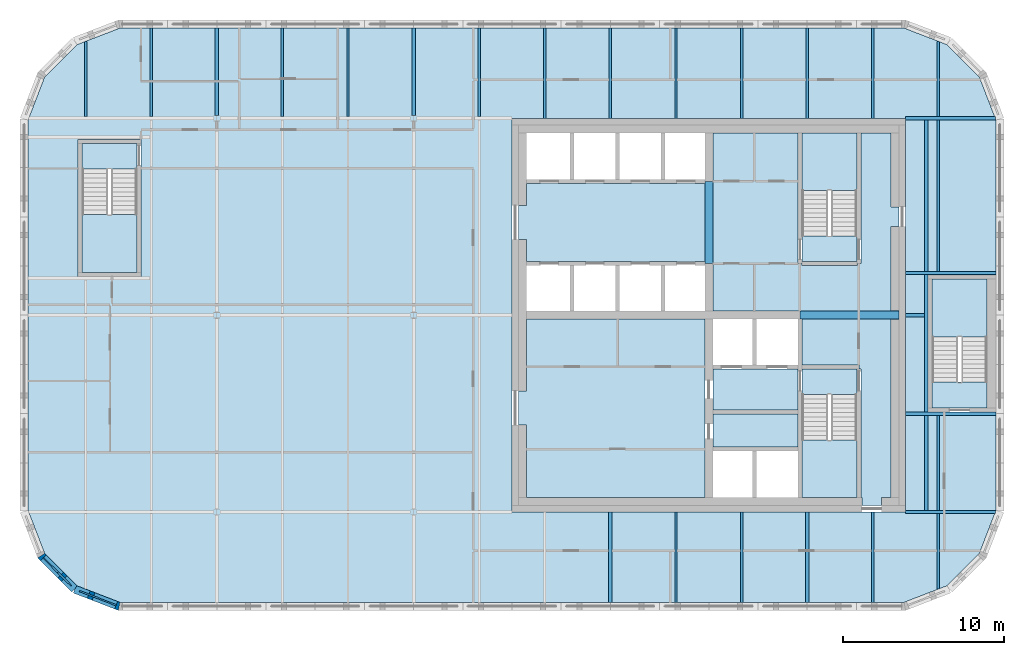
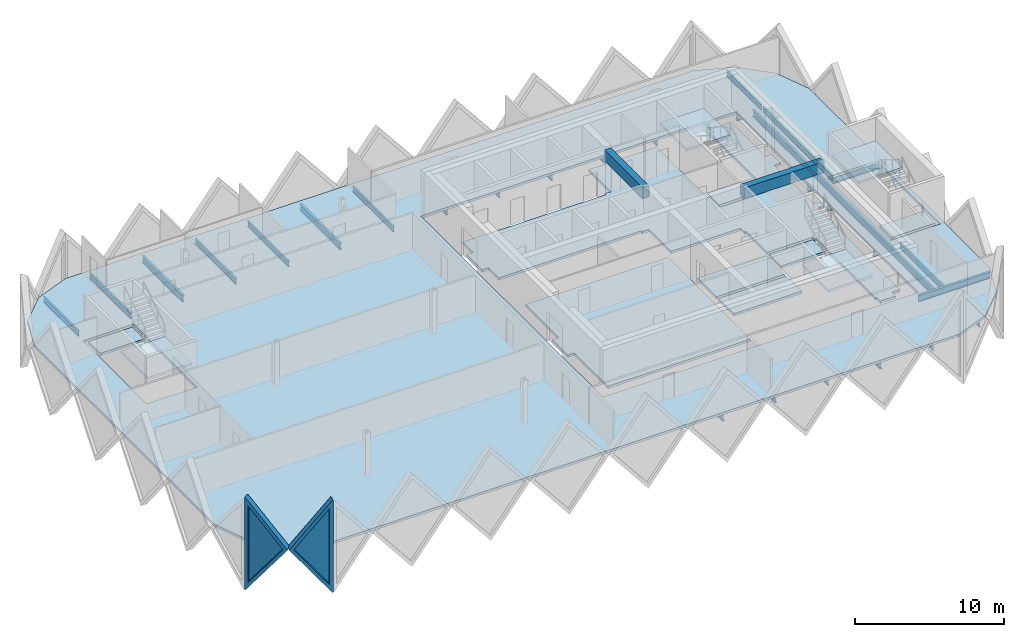
# One storey, part 2 of 10: 30 beams, 13 slabs, 2 plates, 2 walls, 2 openings, 4 elements without a shape of their own.
"""IFC4 building model written with IfcOpenShell, lengths in metres."""

from ifc_helpers import new_model, si_unit, direction, frame, origin, origin_2d, place, context, subcontext, project, spatial, polyline, rectangle, i_section, outline, extrude, faceted_brep, source, transform, mapped, material, layer, layer_set, material_profile, profile_set, type_object, element, fill, aggregate, save


model = new_model("IFC4")

# Units and contexts
model_context = context("Model", 3, precision=1e-05, world=origin(), true_north=direction((0.0, 1.0)))
body_context = subcontext(model_context, "Body", "Model", "MODEL_VIEW")
ifc_project = project(units=[si_unit("LENGTHUNIT", "METRE"), si_unit("AREAUNIT", "SQUARE_METRE"), si_unit("VOLUMEUNIT", "CUBIC_METRE"), si_unit("PLANEANGLEUNIT", "RADIAN"), si_unit("MASSUNIT", "GRAM", prefix="KILO")], contexts=[model_context])

# Site, building, storey
site_placement = place(None, origin())
site = spatial("IfcSite", under=ifc_project, at=site_placement, CompositionType="ELEMENT")
building_placement = place(site_placement, origin())
building = spatial("IfcBuilding", under=site, at=building_placement, Name="Tessera Gate Towers", CompositionType="ELEMENT")
storey_placement = place(building_placement, frame((0.0, 0.0, 252.10009765625)))
storey = spatial("IfcBuildingStorey", under=building, at=storey_placement, Name="L63", CompositionType="ELEMENT", Elevation=252.10009765625)

# Beams
ifc_material_1 = material(Name="Concrete C40/50", Category="concrete")
ifc_material_profile_1 = material_profile(ifc_material_1, rectangle(XDim=0.5, YDim=0.89990234375, at=origin_2d()), Name="RC 500x900")
ifc_profile_set_1 = profile_set([ifc_material_profile_1], Name="Concrete C40/50")
beam_type_1 = type_object("IfcBeamType", Name="COUPLING BEAM 500x900 C40/50", PredefinedType="BEAM", material=ifc_profile_set_1)
beam_1_placement = place(storey_placement, frame((48.35009765625, 36.60009765625, 3.14990234375), z_axis=(1.0, 0.0, 0.0), x_axis=(0.0, 1.0, 0.0)))
element("IfcBeam", 1, at=beam_1_placement, inside=storey, type_object=beam_type_1, Name="L63 coupling beam 1", PredefinedType="BEAM", context=body_context, shape_type="SweptSolid", body=[
    extrude(rectangle(XDim=0.5, YDim=0.89990234375, at=origin_2d()), origin(), (0.0, 0.0, 1.0), 6.14990234375),
])
beam_2_placement = place(storey_placement, frame((42.699951171875, 39.800048828125, 3.14990234375), z_axis=(0.0, 1.0, 0.0), x_axis=(-1.0, 0.0, 0.0)))
element("IfcBeam", 2, at=beam_2_placement, inside=storey, type_object=beam_type_1, Name="L63 coupling beam 2", PredefinedType="BEAM", context=body_context, shape_type="SweptSolid", body=[
    extrude(rectangle(XDim=0.5, YDim=0.89990234375, at=origin_2d()), origin(), (0.0, 0.0, 1.0), 5.099853515625),
])
ifc_material_2 = material(Name="Steel 350W", Category="steel")
ifc_material_profile_2 = material_profile(ifc_material_2, i_section(OverallWidth=0.208984375, OverallDepth=0.532958984375, WebThickness=0.01025390625, FlangeThickness=0.015625, at=origin_2d()), Name="W530x92")
ifc_profile_set_2 = profile_set([ifc_material_profile_2], Name="Steel 350W")
beam_type_2 = type_object("IfcBeamType", Name="FLOOR GIRDER W530x92", PredefinedType="BEAM", material=ifc_profile_set_2)
beam_3_placement = place(storey_placement, frame((54.90087890625, 24.39990234375, -0.466552734375), z_axis=(1.0, 0.0, 0.0), x_axis=(0.0, 1.0, 0.0)))
element("IfcBeam", 3, at=beam_3_placement, inside=storey, type_object=beam_type_2, Name="T1-GD-L63-6189", PredefinedType="BEAM", context=body_context, shape_type="SweptSolid", body=[
    extrude(i_section(OverallWidth=0.208984375, OverallDepth=0.532958984375, WebThickness=0.01025390625, FlangeThickness=0.015625, at=origin_2d()), origin(), (0.0, 0.0, 1.0), 5.564208984375),
])
beam_4_placement = place(storey_placement, frame((54.89892578125, 36.60009765625, -0.466552734375), z_axis=(1.0, 0.0, 0.0), x_axis=(0.0, 1.0, 0.0)))
element("IfcBeam", 4, at=beam_4_placement, inside=storey, type_object=beam_type_2, Name="T1-GD-L63-6193", PredefinedType="BEAM", context=body_context, shape_type="SweptSolid", body=[
    extrude(i_section(OverallWidth=0.208984375, OverallDepth=0.532958984375, WebThickness=0.01025390625, FlangeThickness=0.015625, at=origin_2d()), origin(), (0.0, 0.0, 1.0), 1.176513671875),
])
beam_5_placement = place(storey_placement, frame((54.90087890625, 48.800048828125, -0.466552734375), z_axis=(1.0, 0.0, 0.0), x_axis=(0.0, 1.0, 0.0)))
element("IfcBeam", 5, at=beam_5_placement, inside=storey, type_object=beam_type_2, Name="T1-GD-L63-6197", PredefinedType="BEAM", context=body_context, shape_type="SweptSolid", body=[
    extrude(i_section(OverallWidth=0.208984375, OverallDepth=0.532958984375, WebThickness=0.01025390625, FlangeThickness=0.015625, at=origin_2d()), origin(), (0.0, 0.0, 1.0), 5.564208984375),
])
for number, where, z_axis, x_axis, name in (
    (6, (12.199951171875, 48.984619140625, -0.466552734375), (0.0, 1.0, 0.0), (-1.0, 0.0, 0.0), "T1-GD-L63-6201"),
    (7, (24.39990234375, 48.984619140625, -0.466552734375), (0.0, 1.0, 0.0), (-1.0, 0.0, 0.0), "T1-GD-L63-6205"),
):
    element("IfcBeam", number, at=place(storey_placement, frame(where, z_axis=z_axis, x_axis=x_axis)), inside=storey, type_object=beam_type_2, Name=name, PredefinedType="BEAM", context=body_context, shape_type="SweptSolid", body=[
        extrude(i_section(OverallWidth=0.208984375, OverallDepth=0.532958984375, WebThickness=0.01025390625, FlangeThickness=0.015625, at=origin_2d()), origin(), (0.0, 0.0, 1.0), 5.416259765625),
    ])
for number, where, z_axis, x_axis, name in (
    (8, (36.60009765625, 18.799072265625, -0.466552734375), (0.0, 1.0, 0.0), (-1.0, 0.0, 0.0), "T1-GD-L63-6206"),
    (9, (48.800048828125, 18.799072265625, -0.466552734375), (0.0, 1.0, 0.0), (-1.0, 0.0, 0.0), "T1-GD-L63-6207"),
):
    element("IfcBeam", number, at=place(storey_placement, frame(where, z_axis=z_axis, x_axis=x_axis)), inside=storey, type_object=beam_type_2, Name=name, PredefinedType="BEAM", context=body_context, shape_type="SweptSolid", body=[
        extrude(i_section(OverallWidth=0.208984375, OverallDepth=0.532958984375, WebThickness=0.01025390625, FlangeThickness=0.015625, at=origin_2d()), origin(), (0.0, 0.0, 1.0), 5.600830078125),
    ])
for number, where, z_axis, x_axis, name in (
    (10, (54.89892578125, 30.47998046875, -0.466552734375), (1.0, 0.0, 0.0), (0.0, 1.0, 0.0), "T1-GD-L63-6210"),
    (11, (54.89892578125, 39.219970703125, -0.466552734375), (1.0, 0.0, 0.0), (0.0, 1.0, 0.0), "T1-GD-L63-6211"),
):
    element("IfcBeam", number, at=place(storey_placement, frame(where, z_axis=z_axis, x_axis=x_axis)), inside=storey, type_object=beam_type_2, Name=name, PredefinedType="BEAM", context=body_context, shape_type="SweptSolid", body=[
        extrude(i_section(OverallWidth=0.208984375, OverallDepth=0.532958984375, WebThickness=0.01025390625, FlangeThickness=0.015625, at=origin_2d()), origin(), (0.0, 0.0, 1.0), 5.60205078125),
    ])
beam_6_placement = place(storey_placement, frame((56.179931640625, 24.50439453125, -0.466552734375), z_axis=(0.0, 1.0, 0.0), x_axis=(-1.0, 0.0, 0.0)))
element("IfcBeam", 12, at=beam_6_placement, inside=storey, type_object=beam_type_2, Name="T1-GD-L63-6212", PredefinedType="BEAM", context=body_context, shape_type="SweptSolid", body=[
    extrude(i_section(OverallWidth=0.208984375, OverallDepth=0.532958984375, WebThickness=0.01025390625, FlangeThickness=0.015625, at=origin_2d()), origin(), (0.0, 0.0, 1.0), 24.191162109375),
])
ifc_material_3 = material(Name="Steel 350W", Category="steel")
ifc_material_profile_3 = material_profile(ifc_material_3, i_section(OverallWidth=0.153076171875, OverallDepth=0.455078125, WebThickness=0.008056640625, FlangeThickness=0.01318359375, at=origin_2d()), Name="W460x60")
ifc_profile_set_3 = profile_set([ifc_material_profile_3], Name="Steel 350W")
beam_type_3 = type_object("IfcBeamType", Name="FLOOR SECONDARY W460x60", PredefinedType="BEAM", material=ifc_profile_set_3)
beam_7_placement = place(storey_placement, frame((4.066650390625, 48.904541015625, -0.427490234375), z_axis=(0.0, 1.0, 0.0), x_axis=(-1.0, 0.0, 0.0)))
element("IfcBeam", 13, at=beam_7_placement, inside=storey, type_object=beam_type_3, Name="T1-BM-L63-6216", PredefinedType="BEAM", context=body_context, shape_type="SweptSolid", body=[
    extrude(i_section(OverallWidth=0.153076171875, OverallDepth=0.455078125, WebThickness=0.008056640625, FlangeThickness=0.01318359375, at=origin_2d()), origin(), (0.0, 0.0, 1.0), 4.675048828125),
])
for number, where, z_axis, x_axis, name in (
    (14, (8.13330078125, 48.904541015625, -0.427490234375), (0.0, 1.0, 0.0), (-1.0, 0.0, 0.0), "T1-BM-L63-6220"),
    (15, (16.2666015625, 48.904541015625, -0.427490234375), (0.0, 1.0, 0.0), (-1.0, 0.0, 0.0), "T1-BM-L63-6224"),
    (16, (20.333251953125, 48.904541015625, -0.427490234375), (0.0, 1.0, 0.0), (-1.0, 0.0, 0.0), "T1-BM-L63-6228"),
    (17, (28.466796875, 48.904541015625, -0.427490234375), (0.0, 1.0, 0.0), (-1.0, 0.0, 0.0), "T1-BM-L63-6232"),
):
    element("IfcBeam", number, at=place(storey_placement, frame(where, z_axis=z_axis, x_axis=x_axis)), inside=storey, type_object=beam_type_3, Name=name, PredefinedType="BEAM", context=body_context, shape_type="SweptSolid", body=[
        extrude(i_section(OverallWidth=0.153076171875, OverallDepth=0.455078125, WebThickness=0.008056640625, FlangeThickness=0.01318359375, at=origin_2d()), origin(), (0.0, 0.0, 1.0), 5.495361328125),
    ])
for number, where, z_axis, x_axis, name in (
    (18, (32.533203125, 48.800048828125, -0.427490234375), (0.0, 1.0, 0.0), (-1.0, 0.0, 0.0), "T1-BM-L63-6234"),
    (19, (36.60009765625, 48.800048828125, -0.427490234375), (0.0, 1.0, 0.0), (-1.0, 0.0, 0.0), "T1-BM-L63-6235"),
    (20, (40.666748046875, 18.800048828125, -0.427490234375), (0.0, 1.0, 0.0), (-1.0, 0.0, 0.0), "T1-BM-L63-6236"),
    (21, (40.666748046875, 48.800048828125, -0.427490234375), (0.0, 1.0, 0.0), (-1.0, 0.0, 0.0), "T1-BM-L63-6237"),
    (22, (44.7333984375, 18.800048828125, -0.427490234375), (0.0, 1.0, 0.0), (-1.0, 0.0, 0.0), "T1-BM-L63-6238"),
    (23, (44.7333984375, 48.800048828125, -0.427490234375), (0.0, 1.0, 0.0), (-1.0, 0.0, 0.0), "T1-BM-L63-6239"),
    (24, (48.800048828125, 48.800048828125, -0.427490234375), (0.0, 1.0, 0.0), (-1.0, 0.0, 0.0), "T1-BM-L63-6240"),
    (25, (52.86669921875, 18.800048828125, -0.427490234375), (0.0, 1.0, 0.0), (-1.0, 0.0, 0.0), "T1-BM-L63-6241"),
    (26, (52.86669921875, 48.800048828125, -0.427490234375), (0.0, 1.0, 0.0), (-1.0, 0.0, 0.0), "T1-BM-L63-6242"),
):
    element("IfcBeam", number, at=place(storey_placement, frame(where, z_axis=z_axis, x_axis=x_axis)), inside=storey, type_object=beam_type_3, Name=name, PredefinedType="BEAM", context=body_context, shape_type="SweptSolid", body=[
        extrude(i_section(OverallWidth=0.153076171875, OverallDepth=0.455078125, WebThickness=0.008056640625, FlangeThickness=0.01318359375, at=origin_2d()), origin(), (0.0, 0.0, 1.0), 5.599853515625),
    ])
beam_8_placement = place(storey_placement, frame((56.933349609375, 19.620361328125, -0.427490234375), z_axis=(0.0, 1.0, 0.0), x_axis=(-1.0, 0.0, 0.0)))
element("IfcBeam", 27, at=beam_8_placement, inside=storey, type_object=beam_type_3, Name="T1-BM-L63-6243", PredefinedType="BEAM", context=body_context, shape_type="SweptSolid", body=[
    extrude(i_section(OverallWidth=0.153076171875, OverallDepth=0.455078125, WebThickness=0.008056640625, FlangeThickness=0.01318359375, at=origin_2d()), origin(), (0.0, 0.0, 1.0), 4.675048828125),
])
beam_9_placement = place(storey_placement, frame((56.933349609375, 24.50439453125, -0.427490234375), z_axis=(0.0, 1.0, 0.0), x_axis=(-1.0, 0.0, 0.0)))
element("IfcBeam", 28, at=beam_9_placement, inside=storey, type_object=beam_type_3, Name="T1-BM-L63-6244", PredefinedType="BEAM", context=body_context, shape_type="SweptSolid", body=[
    extrude(i_section(OverallWidth=0.153076171875, OverallDepth=0.455078125, WebThickness=0.008056640625, FlangeThickness=0.01318359375, at=origin_2d()), origin(), (0.0, 0.0, 1.0), 5.87109375),
])
beam_10_placement = place(storey_placement, frame((56.933349609375, 39.324462890625, -0.427490234375), z_axis=(0.0, 1.0, 0.0), x_axis=(-1.0, 0.0, 0.0)))
element("IfcBeam", 29, at=beam_10_placement, inside=storey, type_object=beam_type_3, Name="T1-BM-L63-6245", PredefinedType="BEAM", context=body_context, shape_type="SweptSolid", body=[
    extrude(i_section(OverallWidth=0.153076171875, OverallDepth=0.455078125, WebThickness=0.008056640625, FlangeThickness=0.01318359375, at=origin_2d()), origin(), (0.0, 0.0, 1.0), 9.37109375),
])
beam_11_placement = place(storey_placement, frame((56.933349609375, 48.904541015625, -0.427490234375), z_axis=(0.0, 1.0, 0.0), x_axis=(-1.0, 0.0, 0.0)))
element("IfcBeam", 30, at=beam_11_placement, inside=storey, type_object=beam_type_3, Name="T1-BM-L63-6246", PredefinedType="BEAM", context=body_context, shape_type="SweptSolid", body=[
    extrude(i_section(OverallWidth=0.153076171875, OverallDepth=0.455078125, WebThickness=0.008056640625, FlangeThickness=0.01318359375, at=origin_2d()), origin(), (0.0, 0.0, 1.0), 4.675048828125),
])

# Slabs
ifc_material_4 = material(Name="Concrete C35/45", Category="concrete")
ifc_layer_1 = layer(ifc_material_4, 0.199951171875)
ifc_layer_set_1 = layer_set([ifc_layer_1], Name="COMPOSITE FLOOR 200")
slab_type_1 = type_object("IfcSlabType", Name="COMPOSITE FLOOR 200", PredefinedType="FLOOR", material=ifc_layer_set_1)
slab_1_placement = place(storey_placement, frame((0.0, 0.0, -0.2001953125)))
element("IfcSlab", 31, at=slab_1_placement, inside=storey, type_object=slab_type_1, Name="T1-L63", PredefinedType="FLOOR", context=body_context, shape_type="SweptSolid", body=[
    extrude(outline(polyline([(0.5, 24.4931640625), (1.526123046875, 21.8330078125), (3.533203125, 19.826171875), (6.193115234375, 18.800048828125), (54.806884765625, 18.800048828125), (57.466796875, 19.826171875), (59.473876953125, 21.8330078125), (60.5, 24.4931640625), (60.5, 48.706787109375), (59.473876953125, 51.366943359375), (57.466796875, 53.373779296875), (54.806884765625, 54.39990234375), (6.193115234375, 54.39990234375), (3.533203125, 53.373779296875), (1.526123046875, 51.366943359375), (0.5, 48.706787109375), (0.5, 24.4931640625)]), holes=[polyline([(3.60009765625, 39.0), (3.60009765625, 47.5), (7.5, 47.5), (7.5, 39.0), (3.60009765625, 39.0)]), polyline([(30.5, 24.39990234375), (30.5, 48.800048828125), (54.89990234375, 48.800048828125), (54.89990234375, 24.39990234375), (30.5, 24.39990234375)]), polyline([(56.300048828125, 30.60009765625), (56.300048828125, 39.10009765625), (60.199951171875, 39.10009765625), (60.199951171875, 30.60009765625), (56.300048828125, 30.60009765625)])]), origin(), (0.0, 0.0, 1.0), 0.2001953125),
])
ifc_material_5 = material(Name="Concrete C35/45", Category="concrete")
ifc_layer_2 = layer(ifc_material_5, 0.199951171875)
ifc_layer_set_2 = layer_set([ifc_layer_2], Name="CORE FLOOR SLAB 200")
slab_type_2 = type_object("IfcSlabType", Name="CORE FLOOR SLAB 200", PredefinedType="FLOOR", material=ifc_layer_set_2)
slab_2_placement = place(storey_placement, frame((0.0, 0.0, -0.2001953125)))
element("IfcSlab", 32, at=slab_2_placement, inside=storey, type_object=slab_type_2, Name="L63 core floor slab", PredefinedType="FLOOR", context=body_context, shape_type="SweptSolid", body=[
    extrude(outline(polyline([(42.449951171875, 44.89990234375), (42.449951171875, 44.77490234375), (31.39990234375, 44.77490234375), (31.39990234375, 43.39990234375), (30.89990234375, 43.39990234375), (30.89990234375, 41.300048828125), (31.39990234375, 41.300048828125), (31.39990234375, 39.925048828125), (42.449951171875, 39.925048828125), (42.449951171875, 39.800048828125), (42.949951171875, 39.800048828125), (42.949951171875, 36.85009765625), (48.35009765625, 36.85009765625), (48.35009765625, 36.35009765625), (48.47509765625, 36.35009765625), (48.47509765625, 33.52490234375), (52.0, 33.52490234375), (52.0, 33.27490234375), (52.125, 33.27490234375), (52.125, 25.300048828125), (52.199951171875, 25.300048828125), (52.199951171875, 24.800048828125), (53.39990234375, 24.800048828125), (53.39990234375, 25.300048828125), (54.0, 25.300048828125), (54.0, 36.320068359375), (54.5, 36.320068359375), (54.5, 36.8798828125), (54.0, 36.8798828125), (54.0, 42.10009765625), (54.5, 42.10009765625), (54.5, 43.300048828125), (54.0, 43.300048828125), (54.0, 47.89990234375), (52.125, 47.89990234375), (52.125, 39.800048828125), (51.875, 39.800048828125), (51.875, 39.675048828125), (48.47509765625, 39.675048828125), (48.47509765625, 39.800048828125), (48.22509765625, 39.800048828125), (48.22509765625, 47.89990234375), (42.949951171875, 47.89990234375), (42.949951171875, 44.89990234375), (42.449951171875, 44.89990234375)])), origin(), (0.0, 0.0, 1.0), 0.2001953125),
])
slab_3_placement = place(storey_placement, frame((0.0, 0.0, -0.2001953125)))
element("IfcSlab", 33, at=slab_3_placement, inside=storey, type_object=slab_type_2, Name="L63 core floor slab", PredefinedType="FLOOR", context=body_context, shape_type="SweptSolid", body=[
    extrude(outline(polyline([(31.39990234375, 36.35009765625), (31.39990234375, 31.89990234375), (30.89990234375, 31.89990234375), (30.89990234375, 29.800048828125), (31.39990234375, 29.800048828125), (31.39990234375, 25.300048828125), (42.449951171875, 25.300048828125), (42.449951171875, 36.35009765625), (31.39990234375, 36.35009765625)])), origin(), (0.0, 0.0, 1.0), 0.2001953125),
])
slab_4_placement = place(storey_placement, frame((0.0, 0.0, -0.2001953125)))
element("IfcSlab", 34, at=slab_4_placement, inside=storey, type_object=slab_type_2, Name="L63 core floor slab", PredefinedType="FLOOR", context=body_context, shape_type="SweptSolid", body=[
    extrude(outline(polyline([(42.949951171875, 33.27490234375), (42.949951171875, 30.72509765625), (48.22509765625, 30.72509765625), (48.22509765625, 33.27490234375), (42.949951171875, 33.27490234375)])), origin(), (0.0, 0.0, 1.0), 0.2001953125),
])
slab_5_placement = place(storey_placement, frame((0.0, 0.0, -0.2001953125)))
element("IfcSlab", 35, at=slab_5_placement, inside=storey, type_object=slab_type_2, Name="L63 core floor slab", PredefinedType="FLOOR", context=body_context, shape_type="SweptSolid", body=[
    extrude(outline(polyline([(48.22509765625, 30.47509765625), (42.949951171875, 30.47509765625), (42.949951171875, 28.425048828125), (48.22509765625, 28.425048828125), (48.22509765625, 30.47509765625)])), origin(), (0.0, 0.0, 1.0), 0.2001953125),
])
slab_6_placement = place(storey_placement, frame((0.0, 0.0, -0.2001953125)))
element("IfcSlab", 36, at=slab_6_placement, inside=storey, type_object=slab_type_2, Name="L63 core floor slab", PredefinedType="FLOOR", context=body_context, shape_type="SweptSolid", body=[
    extrude(outline(polyline([(51.875, 31.675048828125), (51.875, 33.27490234375), (48.47509765625, 33.27490234375), (48.47509765625, 31.675048828125), (51.875, 31.675048828125)])), origin(), (0.0, 0.0, 1.0), 0.2001953125),
])
slab_7_placement = place(storey_placement, frame((0.0, 0.0, -0.2001953125)))
element("IfcSlab", 37, at=slab_7_placement, inside=storey, type_object=slab_type_2, Name="L63 core floor slab", PredefinedType="FLOOR", context=body_context, shape_type="SweptSolid", body=[
    extrude(outline(polyline([(48.47509765625, 41.52490234375), (48.47509765625, 39.925048828125), (51.875, 39.925048828125), (51.875, 41.52490234375), (48.47509765625, 41.52490234375)])), origin(), (0.0, 0.0, 1.0), 0.2001953125),
])
slab_8_placement = place(storey_placement, frame((0.0, 0.0, -0.2001953125)))
element("IfcSlab", 38, at=slab_8_placement, inside=storey, type_object=slab_type_2, Name="L63 ST3 floor landing", PredefinedType="FLOOR", context=body_context, shape_type="SweptSolid", body=[
    extrude(outline(polyline([(3.85009765625, 47.25), (3.85009765625, 45.64990234375), (7.25, 45.64990234375), (7.25, 47.25), (3.85009765625, 47.25)])), origin(), (0.0, 0.0, 1.0), 0.2001953125),
])
slab_9_placement = place(storey_placement, frame((0.0, 0.0, -0.2001953125)))
element("IfcSlab", 39, at=slab_9_placement, inside=storey, type_object=slab_type_2, Name="L63 ST5 floor landing", PredefinedType="FLOOR", context=body_context, shape_type="SweptSolid", body=[
    extrude(outline(polyline([(59.949951171875, 30.85009765625), (59.949951171875, 32.449951171875), (56.550048828125, 32.449951171875), (56.550048828125, 30.85009765625), (59.949951171875, 30.85009765625)])), origin(), (0.0, 0.0, 1.0), 0.2001953125),
])

# Stair, slab
ifc_material_6 = material(Name="Concrete C40/50", Category="concrete")
stair_type_1 = type_object("IfcStairType", Name="EXIT STAIR ST1 1600", PredefinedType="HALF_TURN_STAIR", material=ifc_material_6)
stair_1_placement = place(storey_placement, origin())
stair_1 = element("IfcStair", 40, at=stair_1_placement, inside=storey, type_object=stair_type_1, Name="L63 Protected Exit Stair ST1", PredefinedType="HALF_TURN_STAIR")
ifc_material_7 = material(Name="Concrete C40/50", Category="concrete")
ifc_layer_3 = layer(ifc_material_7, 0.199951171875)
ifc_layer_set_3 = layer_set([ifc_layer_3], Name="EXIT STAIR LANDING 200")
slab_type_3 = type_object("IfcSlabType", Name="EXIT STAIR LANDING 200", PredefinedType="LANDING", material=ifc_layer_set_3)
slab_10_placement = place(storey_placement, frame((0.0, 0.0, 1.699951171875)))
slab_10 = element("IfcSlab", 41, at=slab_10_placement, type_object=slab_type_3, Name="ST1 landing 1", PredefinedType="LANDING", context=body_context, shape_type="SweptSolid", body=[
    extrude(outline(polyline([(48.47509765625, 28.875), (48.47509765625, 25.300048828125), (51.875, 25.300048828125), (51.875, 28.875), (48.47509765625, 28.875)])), origin(), (0.0, 0.0, 1.0), 0.199951171875),
])
aggregate(stair_1, [slab_10])

ifc_material_8 = material(Name="Concrete C40/50", Category="concrete")
stair_type_2 = type_object("IfcStairType", Name="EXIT STAIR ST2 1600", PredefinedType="HALF_TURN_STAIR", material=ifc_material_8)
stair_2_placement = place(storey_placement, origin())
stair_2 = element("IfcStair", 42, at=stair_2_placement, inside=storey, type_object=stair_type_2, Name="L63 Protected Exit Stair ST2", PredefinedType="HALF_TURN_STAIR")
slab_11_placement = place(storey_placement, frame((0.0, 0.0, 1.699951171875)))
slab_11 = element("IfcSlab", 43, at=slab_11_placement, type_object=slab_type_3, Name="ST2 landing 1", PredefinedType="LANDING", context=body_context, shape_type="SweptSolid", body=[
    extrude(outline(polyline([(51.875, 44.324951171875), (51.875, 47.89990234375), (48.47509765625, 47.89990234375), (48.47509765625, 44.324951171875), (51.875, 44.324951171875)])), origin(), (0.0, 0.0, 1.0), 0.199951171875),
])
aggregate(stair_2, [slab_11])

ifc_material_9 = material(Name="Concrete C40/50", Category="concrete")
stair_type_3 = type_object("IfcStairType", Name="EXIT STAIR ST3 1600", PredefinedType="HALF_TURN_STAIR", material=ifc_material_9)
stair_3_placement = place(storey_placement, origin())
stair_3 = element("IfcStair", 44, at=stair_3_placement, inside=storey, type_object=stair_type_3, Name="L63 West Exit Stair ST3", PredefinedType="HALF_TURN_STAIR")
slab_12_placement = place(storey_placement, frame((0.0, 0.0, 1.699951171875)))
slab_12 = element("IfcSlab", 45, at=slab_12_placement, type_object=slab_type_3, Name="ST3 landing 1", PredefinedType="LANDING", context=body_context, shape_type="SweptSolid", body=[
    extrude(outline(polyline([(3.85009765625, 42.85009765625), (3.85009765625, 39.25), (7.25, 39.25), (7.25, 42.85009765625), (3.85009765625, 42.85009765625)])), origin(), (0.0, 0.0, 1.0), 0.199951171875),
])
aggregate(stair_3, [slab_12])

ifc_material_10 = material(Name="Concrete C40/50", Category="concrete")
stair_type_4 = type_object("IfcStairType", Name="EXIT STAIR ST5 1600", PredefinedType="HALF_TURN_STAIR", material=ifc_material_10)
stair_4_placement = place(storey_placement, origin())
stair_4 = element("IfcStair", 46, at=stair_4_placement, inside=storey, type_object=stair_type_4, Name="L63 East Exit Stair ST5", PredefinedType="HALF_TURN_STAIR")
slab_13_placement = place(storey_placement, frame((0.0, 0.0, 1.699951171875)))
slab_13 = element("IfcSlab", 47, at=slab_13_placement, type_object=slab_type_3, Name="ST5 landing 1", PredefinedType="LANDING", context=body_context, shape_type="SweptSolid", body=[
    extrude(outline(polyline([(59.949951171875, 35.25), (59.949951171875, 38.85009765625), (56.550048828125, 38.85009765625), (56.550048828125, 35.25), (59.949951171875, 35.25)])), origin(), (0.0, 0.0, 1.0), 0.199951171875),
])
aggregate(stair_4, [slab_13])

# Wall, opening, plate
ifc_material_11 = material(Name="Precast concrete C60/75 white", Category="concrete")
ifc_layer_4 = layer(ifc_material_11, 0.5)
ifc_layer_set_4 = layer_set([ifc_layer_4], Name="TS3 corner tessera")
wall_type = type_object("IfcWallType", Name="TS3 corner tessera", PredefinedType="SOLIDWALL", material=ifc_layer_set_4)
shared_shape_1 = source(origin(), body_context, "Body", "Brep", [
    faceted_brep([(0.052978515625, -0.25, 0.0), (2.9970703125, -0.25, 3.800048828125), (0.052978515625, -0.25, 7.599853515625), (0.0, -0.25, 7.53173828125), (0.0, -0.25, 0.068115234375), (0.10595703125, 0.25, 7.531494140625), (2.944091796875, 0.25, 3.8681640625), (2.944091796875, 0.25, 3.73193359375), (0.10595703125, 0.25, 0.068359375), (2.9970703125, 0.000244140625, 3.800048828125), (0.052978515625, 0.0, 0.0), (0.052978515625, 0.0, 7.599853515625)], [[[0, 1, 2, 3, 4]], [[5, 6, 7, 8]], [[8, 7, 9, 1, 0, 10]], [[6, 5, 11, 2, 1, 9]], [[3, 2, 11]], [[10, 0, 4]], [[8, 10, 4, 3, 11, 5]], [[7, 6, 9]]]),
])
wall_1_placement = place(storey_placement, frame((1.2744140625, 21.731201171875, -3.800048828125), z_axis=(0.0, 0.0, 1.0), x_axis=(0.707147509625, -0.707066050402, 0.0)))
wall_1 = element("IfcWall", 48, at=wall_1_placement, inside=storey, type_object=wall_type, Name="Precast corner tessera T1 TS3-1448", PredefinedType="SOLIDWALL", context=body_context, shape_type="MappedRepresentation", body=[
    mapped(shared_shape_1, transform((0.0, 0.0, 0.0), scale=1.0)),
])
shared_shape_2 = source(origin(), body_context, "Body", "SweptSolid", [
    extrude(outline(polyline([(0.2529296875, 0.666259765625), (2.680908203125, 3.800048828125), (0.2529296875, 6.93359375), (0.2529296875, 0.666259765625)])), frame((0.0, 0.260009765625, 0.0), z_axis=(0.0, -1.0, 0.0), x_axis=(1.0, 0.0, 0.0)), (0.0, 0.0, 1.0), 0.52001953125),
])
opening_1_placement = place(wall_1_placement, origin())
opening_1 = element("IfcOpeningElement", 49, at=opening_1_placement, cuts=wall_1, Name="Opening T1-PL2-2270", PredefinedType="OPENING", context=body_context, shape_type="MappedRepresentation", body=[
    mapped(shared_shape_2, transform((0.0, 0.0, 0.0), scale=1.0)),
])
ifc_material_12 = material(Name="Low-e laminated glass", Category="glass")
ifc_layer_5 = layer(ifc_material_12, 0.06005859375)
ifc_layer_set_5 = layer_set([ifc_layer_5], Name="PL2 rhombic pane")
plate_type = type_object("IfcPlateType", Name="PL2 rhombic pane", PredefinedType="SHEET", material=ifc_layer_set_5)
shared_shape_3 = source(origin(), body_context, "Body", "SweptSolid", [
    extrude(outline(polyline([(0.2529296875, 0.666259765625), (2.680908203125, 3.800048828125), (0.2529296875, 6.93359375), (0.2529296875, 0.666259765625)])), frame((0.0, 0.030029296875, 0.0), z_axis=(0.0, -1.0, 0.0), x_axis=(1.0, 0.0, 0.0)), (0.0, 0.0, 1.0), 0.06005859375),
])
plate_1_placement = place(opening_1_placement, origin())
plate_1 = element("IfcPlate", 50, at=plate_1_placement, inside=storey, type_object=plate_type, Name="Glass pane T1 PL2-2270", PredefinedType="SHEET", context=body_context, shape_type="MappedRepresentation", body=[
    mapped(shared_shape_3, transform((0.0, 0.0, 0.0), scale=1.0)),
])
fill(opening_1, plate_1)

shared_shape_4 = source(origin(), body_context, "Body", "Brep", [
    faceted_brep([(2.950439453125, -0.25, 0.0), (2.9970703125, -0.25, 0.05908203125), (2.9970703125, -0.25, 7.540771484375), (2.950439453125, -0.25, 7.599853515625), (0.0, -0.25, 3.800048828125), (0.052978515625, 0.25, 3.8681640625), (2.904052734375, 0.25, 7.5400390625), (2.904052734375, 0.25, 0.059814453125), (0.052978515625, 0.25, 3.73193359375), (2.950439453125, 0.00048828125, 0.0), (2.950439453125, 0.00048828125, 7.599853515625), (0.0, 0.0, 3.800048828125)], [[[0, 1, 2, 3, 4]], [[5, 6, 7, 8]], [[1, 0, 9]], [[10, 3, 2]], [[6, 5, 11, 4, 3, 10]], [[8, 7, 9, 0, 4, 11]], [[8, 11, 5]], [[1, 9, 7, 6, 10, 2]]]),
])
wall_2_placement = place(storey_placement, frame((3.393798828125, 19.61181640625, -3.800048828125), z_axis=(0.0, 0.0, 1.0), x_axis=(0.932990326376, -0.359901446078, 0.0)))
wall_2 = element("IfcWall", 51, at=wall_2_placement, inside=storey, type_object=wall_type, Name="Precast corner tessera T1 TS3-1434", PredefinedType="SOLIDWALL", context=body_context, shape_type="MappedRepresentation", body=[
    mapped(shared_shape_4, transform((0.0, 0.0, 0.0), scale=1.0)),
])
shared_shape_5 = source(origin(), body_context, "Body", "SweptSolid", [
    extrude(outline(polyline([(2.75048828125, 6.934814453125), (0.31640625, 3.800048828125), (2.75048828125, 0.665283203125), (2.75048828125, 6.934814453125)])), frame((0.0, 0.260009765625, 0.0), z_axis=(0.0, -1.0, 0.0), x_axis=(1.0, 0.0, 0.0)), (0.0, 0.0, 1.0), 0.52001953125),
])
opening_2_placement = place(wall_2_placement, origin())
opening_2 = element("IfcOpeningElement", 52, at=opening_2_placement, cuts=wall_2, Name="Opening T1-PL2-2234", PredefinedType="OPENING", context=body_context, shape_type="MappedRepresentation", body=[
    mapped(shared_shape_5, transform((0.0, 0.0, 0.0), scale=1.0)),
])
shared_shape_6 = source(origin(), body_context, "Body", "SweptSolid", [
    extrude(outline(polyline([(2.75048828125, 6.934814453125), (0.31640625, 3.800048828125), (2.75048828125, 0.665283203125), (2.75048828125, 6.934814453125)])), frame((0.0, 0.030029296875, 0.0), z_axis=(0.0, -1.0, 0.0), x_axis=(1.0, 0.0, 0.0)), (0.0, 0.0, 1.0), 0.06005859375),
])
plate_2_placement = place(opening_2_placement, origin())
plate_2 = element("IfcPlate", 53, at=plate_2_placement, inside=storey, type_object=plate_type, Name="Glass pane T1 PL2-2234", PredefinedType="SHEET", context=body_context, shape_type="MappedRepresentation", body=[
    mapped(shared_shape_6, transform((0.0, 0.0, 0.0), scale=1.0)),
])
fill(opening_2, plate_2)

save(model, "model.ifc")
